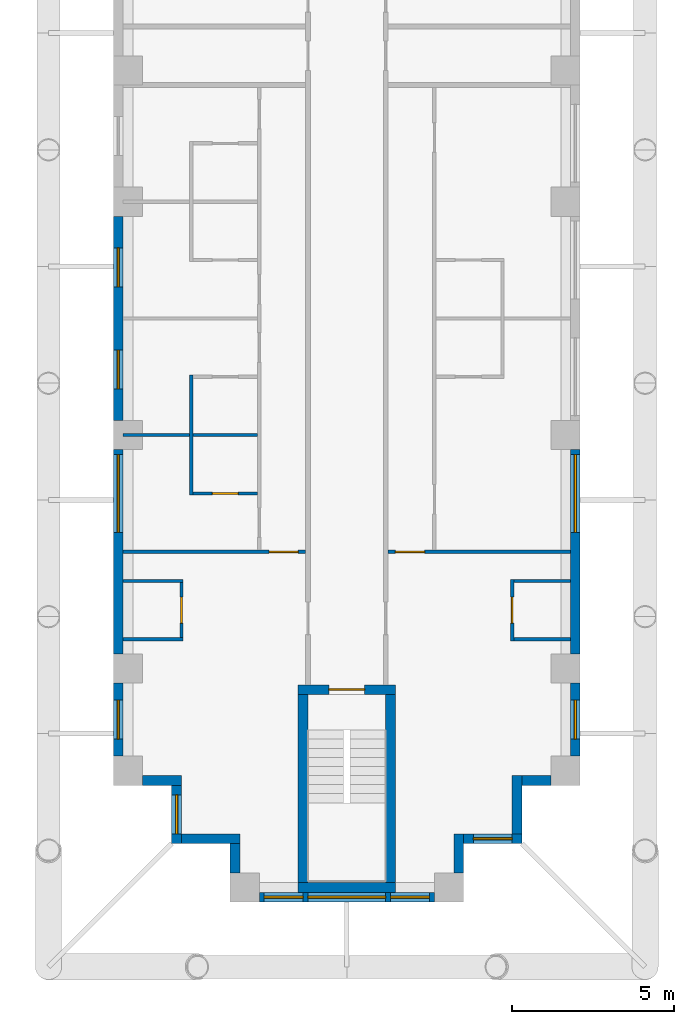
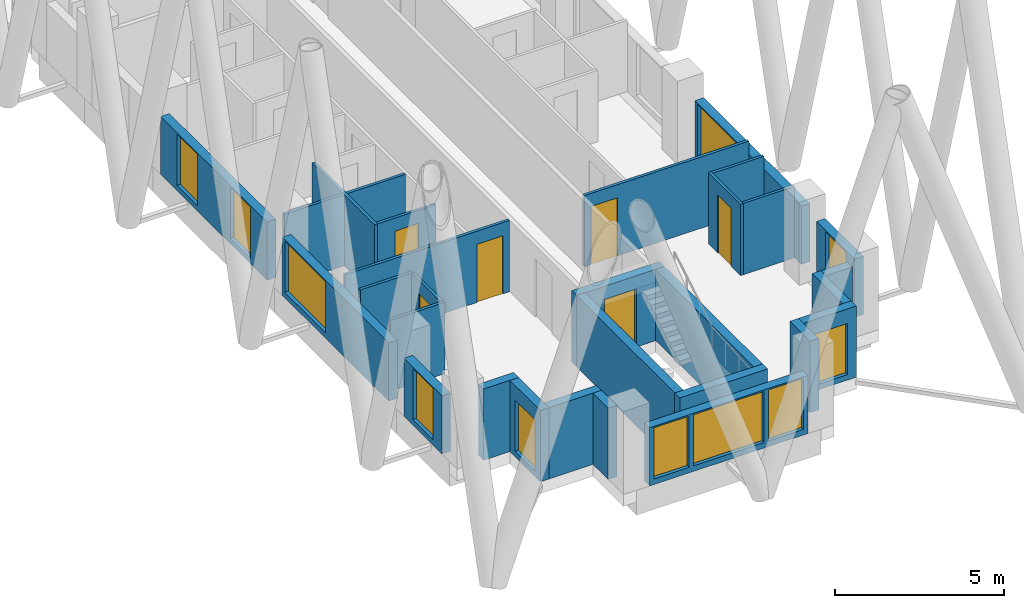
# One storey, part 3 of 14: 29 walls, 11 windows, 6 doors, 17 openings.
"""IFC4 building model written with IfcOpenShell, lengths in metres."""

from ifc_helpers import new_model, si_unit, direction, frame, frame_2d, origin, place, context, subcontext, project, spatial, rectangle, extrude, material, layer, layer_set, type_object, element, fill, save


model = new_model("IFC4")

# Units and contexts
model_context = context("Model", 3, precision=1e-05, world=origin(), true_north=direction((0.0, 1.0)))
body_context = subcontext(model_context, "Body", "Model", "MODEL_VIEW")
ifc_project = project(units=[si_unit("LENGTHUNIT", "METRE"), si_unit("AREAUNIT", "SQUARE_METRE"), si_unit("VOLUMEUNIT", "CUBIC_METRE"), si_unit("PLANEANGLEUNIT", "RADIAN"), si_unit("MASSUNIT", "GRAM", prefix="KILO")], contexts=[model_context])

# Site, building, storey
site_placement = place(None, origin())
site = spatial("IfcSite", under=ifc_project, at=site_placement, CompositionType="ELEMENT")
building_placement = place(site_placement, origin())
building = spatial("IfcBuilding", under=site, at=building_placement, Name="Fustian Cross Tower", CompositionType="ELEMENT")
storey_placement = place(building_placement, frame((0.0, 0.0, 102.89990234375)))
storey = spatial("IfcBuildingStorey", under=building, at=storey_placement, Name="L32", CompositionType="ELEMENT", Elevation=102.89990234375)

# Walls
ifc_material_1 = material(Name="Plasterboard on steel stud", Category="steel")
ifc_layer_1 = layer(ifc_material_1, 0.10009765625)
ifc_layer_set_1 = layer_set([ifc_layer_1], Name="Plasterboard on steel stud")
wall_type_1 = type_object("IfcWallType", Name="PARTITION 100 STUD", PredefinedType="PARTITIONING", material=ifc_layer_set_1)
for number, where, z_axis, x_axis, name in (
    (1, (-6.89990234375, -35.10009765625, 0.0), (0.0, 0.0, 1.0), (1.0, 0.0, 0.0), "Partition 15"),
    (2, (-6.89990234375, -33.300048828125, 0.0), (0.0, 0.0, 1.0), (1.0, 0.0, 0.0), "Partition 16"),
):
    element("IfcWall", number, at=place(storey_placement, frame(where, z_axis=z_axis, x_axis=x_axis)), inside=storey, type_object=wall_type_1, Name=name, PredefinedType="PARTITIONING", context=body_context, shape_type="SweptSolid", body=[
        extrude(rectangle(XDim=1.849853515625, YDim=0.10009765625, at=frame_2d((0.9248046875, 0.0))), origin(), (0.0, 0.0, 1.0), 2.5751953125),
    ])

# Wall, opening, door
wall_1_placement = place(storey_placement, frame((-6.89990234375, -32.39990234375, 0.0), z_axis=(0.0, 0.0, 1.0), x_axis=(1.0, 0.0, 0.0)))
wall_1 = element("IfcWall", 3, at=wall_1_placement, inside=storey, type_object=wall_type_1, Name="Partition 17", PredefinedType="PARTITIONING", context=body_context, shape_type="SweptSolid", body=[
    extrude(rectangle(XDim=5.625, YDim=0.10009765625, at=frame_2d((2.8125, 0.0))), origin(), (0.0, 0.0, 1.0), 2.5751953125),
])
opening_1_placement = place(wall_1_placement, frame((4.5, 0.0, 0.0)))
opening_1 = element("IfcOpeningElement", 4, at=opening_1_placement, cuts=wall_1, Name="Opening D15056", PredefinedType="OPENING", context=body_context, shape_type="SweptSolid", body=[
    extrude(rectangle(XDim=0.89990234375, YDim=2.10009765625, at=frame_2d((0.449951171875, 1.050048828125))), frame((0.0, 0.06005859375, 0.0), z_axis=(0.0, -1.0, 0.0), x_axis=(1.0, 0.0, 0.0)), (0.0, 0.0, 1.0), 0.1201171875),
])
ifc_material_2 = material(Name="Painted timber", Category="wood")
door_type_1 = type_object("IfcDoorType", Name="SWING DOOR 900", OperationType="SINGLE_SWING_LEFT", PredefinedType="DOOR", material=ifc_material_2)
door_1_placement = place(opening_1_placement, origin())
door_1 = element("IfcDoor", 5, at=door_1_placement, inside=storey, type_object=door_type_1, Name="Door D15056", OperationType="SINGLE_SWING_LEFT", OverallHeight=2.10009765625, OverallWidth=0.89990234375, PredefinedType="DOOR", context=body_context, shape_type="SweptSolid", body=[
    extrude(rectangle(XDim=0.89990234375, YDim=2.10009765625, at=frame_2d((0.449951171875, 1.050048828125))), frame((0.0, 0.02490234375, 0.0), z_axis=(0.0, -1.0, 0.0), x_axis=(1.0, 0.0, 0.0)), (0.0, 0.0, 1.0), 0.050048828125),
])
fill(opening_1, door_1)

# Wall
wall_2_placement = place(storey_placement, frame((-6.89990234375, -28.800048828125, 0.0), z_axis=(0.0, 0.0, 1.0), x_axis=(1.0, 0.0, 0.0)))
element("IfcWall", 6, at=wall_2_placement, inside=storey, type_object=wall_type_1, Name="Partition 18", PredefinedType="PARTITIONING", context=body_context, shape_type="SweptSolid", body=[
    extrude(rectangle(XDim=4.14990234375, YDim=0.10009765625, at=frame_2d((2.074951171875, 0.0))), origin(), (0.0, 0.0, 1.0), 2.5751953125),
])

# Wall, opening, door
wall_3_placement = place(storey_placement, frame((-5.10009765625, -35.050048828125, 0.0), z_axis=(0.0, 0.0, 1.0), x_axis=(0.0, 1.0, 0.0)))
wall_3 = element("IfcWall", 7, at=wall_3_placement, inside=storey, type_object=wall_type_1, Name="Partition 24", PredefinedType="PARTITIONING", context=body_context, shape_type="SweptSolid", body=[
    extrude(rectangle(XDim=1.699951171875, YDim=0.10009765625, at=frame_2d((0.85009765625, 0.0))), origin(), (0.0, 0.0, 1.0), 2.5751953125),
])
opening_2_placement = place(wall_3_placement, frame((0.449951171875, 0.0, 0.0)))
opening_2 = element("IfcOpeningElement", 8, at=opening_2_placement, cuts=wall_3, Name="Opening D15050", PredefinedType="OPENING", context=body_context, shape_type="SweptSolid", body=[
    extrude(rectangle(XDim=0.800048828125, YDim=2.10009765625, at=frame_2d((0.39990234375, 1.050048828125))), frame((0.0, 0.06005859375, 0.0), z_axis=(0.0, -1.0, 0.0), x_axis=(1.0, 0.0, 0.0)), (0.0, 0.0, 1.0), 0.1201171875),
])
ifc_material_3 = material(Name="Painted timber", Category="wood")
door_type_2 = type_object("IfcDoorType", Name="SWING DOOR 800", OperationType="SINGLE_SWING_LEFT", PredefinedType="DOOR", material=ifc_material_3)
door_2_placement = place(opening_2_placement, origin())
door_2 = element("IfcDoor", 9, at=door_2_placement, inside=storey, type_object=door_type_2, Name="Door D15050", OperationType="SINGLE_SWING_RIGHT", OverallHeight=2.10009765625, OverallWidth=0.800048828125, PredefinedType="DOOR", context=body_context, shape_type="SweptSolid", body=[
    extrude(rectangle(XDim=0.800048828125, YDim=2.10009765625, at=frame_2d((0.39990234375, 1.050048828125))), frame((0.0, 0.02490234375, 0.0), z_axis=(0.0, -1.0, 0.0), x_axis=(1.0, 0.0, 0.0)), (0.0, 0.0, 1.0), 0.050048828125),
])
fill(opening_2, door_2)

# Wall
wall_4_placement = place(storey_placement, frame((-4.800048828125, -30.64990234375, 0.0), z_axis=(0.0, 0.0, 1.0), x_axis=(0.0, 1.0, 0.0)))
element("IfcWall", 10, at=wall_4_placement, inside=storey, type_object=wall_type_1, Name="Partition 25", PredefinedType="PARTITIONING", context=body_context, shape_type="SweptSolid", body=[
    extrude(rectangle(XDim=3.699951171875, YDim=0.10009765625, at=frame_2d((1.85009765625, 0.0))), origin(), (0.0, 0.0, 1.0), 2.5751953125),
])

# Wall, opening, door
wall_5_placement = place(storey_placement, frame((-4.75, -30.60009765625, 0.0), z_axis=(0.0, 0.0, 1.0), x_axis=(1.0, 0.0, 0.0)))
wall_5 = element("IfcWall", 11, at=wall_5_placement, inside=storey, type_object=wall_type_1, Name="Partition 26", PredefinedType="PARTITIONING", context=body_context, shape_type="SweptSolid", body=[
    extrude(rectangle(XDim=2.0, YDim=0.10009765625, at=frame_2d((1.0, 0.0))), origin(), (0.0, 0.0, 1.0), 2.5751953125),
])
opening_3_placement = place(wall_5_placement, frame((0.60009765625, 0.0, 0.0)))
opening_3 = element("IfcOpeningElement", 12, at=opening_3_placement, cuts=wall_5, Name="Opening D15060", PredefinedType="OPENING", context=body_context, shape_type="SweptSolid", body=[
    extrude(rectangle(XDim=0.800048828125, YDim=2.10009765625, at=frame_2d((0.39990234375, 1.050048828125))), frame((0.0, 0.06005859375, 0.0), z_axis=(0.0, -1.0, 0.0), x_axis=(1.0, 0.0, 0.0)), (0.0, 0.0, 1.0), 0.1201171875),
])
door_3_placement = place(opening_3_placement, origin())
door_3 = element("IfcDoor", 13, at=door_3_placement, inside=storey, type_object=door_type_2, Name="Door D15060", OperationType="SINGLE_SWING_LEFT", OverallHeight=2.10009765625, OverallWidth=0.800048828125, PredefinedType="DOOR", context=body_context, shape_type="SweptSolid", body=[
    extrude(rectangle(XDim=0.800048828125, YDim=2.10009765625, at=frame_2d((0.39990234375, 1.050048828125))), frame((0.0, 0.02490234375, 0.0), z_axis=(0.0, -1.0, 0.0), x_axis=(1.0, 0.0, 0.0)), (0.0, 0.0, 1.0), 0.050048828125),
])
fill(opening_3, door_3)

wall_6_placement = place(storey_placement, frame((1.27490234375, -32.39990234375, 0.0), z_axis=(0.0, 0.0, 1.0), x_axis=(1.0, 0.0, 0.0)))
wall_6 = element("IfcWall", 14, at=wall_6_placement, inside=storey, type_object=wall_type_1, Name="Partition 44", PredefinedType="PARTITIONING", context=body_context, shape_type="SweptSolid", body=[
    extrude(rectangle(XDim=5.625, YDim=0.10009765625, at=frame_2d((2.8125, 0.0))), origin(), (0.0, 0.0, 1.0), 2.5751953125),
])
opening_4_placement = place(wall_6_placement, frame((0.22509765625, 0.0, 0.0)))
opening_4 = element("IfcOpeningElement", 15, at=opening_4_placement, cuts=wall_6, Name="Opening D15042", PredefinedType="OPENING", context=body_context, shape_type="SweptSolid", body=[
    extrude(rectangle(XDim=0.89990234375, YDim=2.10009765625, at=frame_2d((0.449951171875, 1.050048828125))), frame((0.0, 0.06005859375, 0.0), z_axis=(0.0, -1.0, 0.0), x_axis=(1.0, 0.0, 0.0)), (0.0, 0.0, 1.0), 0.1201171875),
])
door_4_placement = place(opening_4_placement, origin())
door_4 = element("IfcDoor", 16, at=door_4_placement, inside=storey, type_object=door_type_1, Name="Door D15042", OperationType="SINGLE_SWING_LEFT", OverallHeight=2.10009765625, OverallWidth=0.89990234375, PredefinedType="DOOR", context=body_context, shape_type="SweptSolid", body=[
    extrude(rectangle(XDim=0.89990234375, YDim=2.10009765625, at=frame_2d((0.449951171875, 1.050048828125))), frame((0.0, 0.02490234375, 0.0), z_axis=(0.0, -1.0, 0.0), x_axis=(1.0, 0.0, 0.0)), (0.0, 0.0, 1.0), 0.050048828125),
])
fill(opening_4, door_4)

wall_7_placement = place(storey_placement, frame((5.10009765625, -35.14990234375, 0.0), z_axis=(0.0, 0.0, 1.0), x_axis=(0.0, 1.0, 0.0)))
wall_7 = element("IfcWall", 17, at=wall_7_placement, inside=storey, type_object=wall_type_1, Name="Partition 66", PredefinedType="PARTITIONING", context=body_context, shape_type="SweptSolid", body=[
    extrude(rectangle(XDim=1.89990234375, YDim=0.10009765625, at=frame_2d((0.949951171875, 0.0))), origin(), (0.0, 0.0, 1.0), 2.5751953125),
])
opening_5_placement = place(wall_7_placement, frame((0.550048828125, 0.0, 0.0)))
opening_5 = element("IfcOpeningElement", 18, at=opening_5_placement, cuts=wall_7, Name="Opening D15040", PredefinedType="OPENING", context=body_context, shape_type="SweptSolid", body=[
    extrude(rectangle(XDim=0.800048828125, YDim=2.10009765625, at=frame_2d((0.39990234375, 1.050048828125))), frame((0.0, 0.06005859375, 0.0), z_axis=(0.0, -1.0, 0.0), x_axis=(1.0, 0.0, 0.0)), (0.0, 0.0, 1.0), 0.1201171875),
])
door_5_placement = place(opening_5_placement, frame((0.800048828125, 0.0, 0.0), z_axis=(0.0, 0.0, 1.0), x_axis=(-1.0, 0.0, 0.0)))
door_5 = element("IfcDoor", 19, at=door_5_placement, inside=storey, type_object=door_type_2, Name="Door D15040", OperationType="SINGLE_SWING_LEFT", OverallHeight=2.10009765625, OverallWidth=0.800048828125, PredefinedType="DOOR", context=body_context, shape_type="SweptSolid", body=[
    extrude(rectangle(XDim=0.800048828125, YDim=2.10009765625, at=frame_2d((0.39990234375, 1.050048828125))), frame((0.0, 0.02490234375, 0.0), z_axis=(0.0, -1.0, 0.0), x_axis=(1.0, 0.0, 0.0)), (0.0, 0.0, 1.0), 0.050048828125),
])
fill(opening_5, door_5)

# Walls
for number, where, z_axis, x_axis, name in (
    (20, (5.14990234375, -35.10009765625, 0.0), (0.0, 0.0, 1.0), (1.0, 0.0, 0.0), "Partition 67"),
    (21, (5.14990234375, -33.300048828125, 0.0), (0.0, 0.0, 1.0), (1.0, 0.0, 0.0), "Partition 68"),
):
    element("IfcWall", number, at=place(storey_placement, frame(where, z_axis=z_axis, x_axis=x_axis)), inside=storey, type_object=wall_type_1, Name=name, PredefinedType="PARTITIONING", context=body_context, shape_type="SweptSolid", body=[
        extrude(rectangle(XDim=1.75, YDim=0.10009765625, at=frame_2d((0.875, 0.0))), origin(), (0.0, 0.0, 1.0), 2.5751953125),
    ])

# Wall, opening, door
ifc_material_4 = material(Name="Concrete C50/60", Category="concrete")
ifc_layer_2 = layer(ifc_material_4, 0.300048828125)
ifc_layer_set_2 = layer_set([ifc_layer_2], Name="Concrete C50/60")
wall_type_2 = type_object("IfcWallType", Name="STAIR ENCLOSURE WALL 300 C50/60", PredefinedType="SHEAR", material=ifc_layer_set_2)
wall_8_placement = place(storey_placement, frame((-1.5, -36.64990234375, 0.0), z_axis=(0.0, 0.0, 1.0), x_axis=(1.0, 0.0, 0.0)))
wall_8 = element("IfcWall", 22, at=wall_8_placement, inside=storey, type_object=wall_type_2, Name="Stair enclosure wall", PredefinedType="SHEAR", context=body_context, shape_type="SweptSolid", body=[
    extrude(rectangle(XDim=3.0, YDim=0.300048828125, at=frame_2d((1.5, 0.0))), origin(), (0.0, 0.0, 1.0), 2.5751953125),
])
opening_6_placement = place(wall_8_placement, frame((0.949951171875, 0.0, 0.0)))
opening_6 = element("IfcOpeningElement", 23, at=opening_6_placement, cuts=wall_8, Name="Opening CD-10-31", PredefinedType="OPENING", context=body_context, shape_type="SweptSolid", body=[
    extrude(rectangle(XDim=1.10009765625, YDim=2.10009765625, at=frame_2d((0.550048828125, 1.050048828125))), frame((0.0, 0.159912109375, 0.0), z_axis=(0.0, -1.0, 0.0), x_axis=(1.0, 0.0, 0.0)), (0.0, 0.0, 1.0), 0.320068359375),
])
ifc_material_5 = material(Name="Steel", Category="steel")
door_type_3 = type_object("IfcDoorType", Name="FIRE DOOR FD60S 1100X2100", OperationType="SINGLE_SWING_LEFT", PredefinedType="DOOR", material=ifc_material_5)
door_6_placement = place(opening_6_placement, frame((1.10009765625, 0.0, 0.0), z_axis=(0.0, 0.0, 1.0), x_axis=(-1.0, 0.0, 0.0)))
door_6 = element("IfcDoor", 24, at=door_6_placement, inside=storey, type_object=door_type_3, Name="Core door CD-10-31", OperationType="SINGLE_SWING_RIGHT", OverallHeight=2.10009765625, OverallWidth=1.10009765625, PredefinedType="DOOR", context=body_context, shape_type="SweptSolid", body=[
    extrude(rectangle(XDim=1.10009765625, YDim=2.10009765625, at=frame_2d((0.550048828125, 1.050048828125))), frame((0.0, 0.02490234375, 0.0), z_axis=(0.0, -1.0, 0.0), x_axis=(1.0, 0.0, 0.0)), (0.0, 0.0, 1.0), 0.050048828125),
])
fill(opening_6, door_6)

# Walls
wall_9_placement = place(storey_placement, frame((-1.5, -42.75, 0.0), z_axis=(0.0, 0.0, 1.0), x_axis=(1.0, 0.0, 0.0)))
element("IfcWall", 25, at=wall_9_placement, inside=storey, type_object=wall_type_2, Name="Stair enclosure wall", PredefinedType="SHEAR", context=body_context, shape_type="SweptSolid", body=[
    extrude(rectangle(XDim=3.0, YDim=0.300048828125, at=frame_2d((1.5, 0.0))), origin(), (0.0, 0.0, 1.0), 2.5751953125),
])
for number, where, z_axis, x_axis, name in (
    (26, (-1.35009765625, -36.800048828125, 0.0), (0.0, 0.0, 1.0), (0.0, -1.0, 0.0), "Stair enclosure wall"),
    (27, (1.35009765625, -36.800048828125, 0.0), (0.0, 0.0, 1.0), (0.0, -1.0, 0.0), "Stair enclosure wall"),
):
    element("IfcWall", number, at=place(storey_placement, frame(where, z_axis=z_axis, x_axis=x_axis)), inside=storey, type_object=wall_type_2, Name=name, PredefinedType="SHEAR", context=body_context, shape_type="SweptSolid", body=[
        extrude(rectangle(XDim=5.800048828125, YDim=0.300048828125, at=frame_2d((2.89990234375, 0.0))), origin(), (0.0, 0.0, 1.0), 2.5751953125),
    ])

# Wall, openings, windows
ifc_material_6 = material(Name="Dark aluminium cladding on insulated backing wall", Category="aluminium")
ifc_layer_3 = layer(ifc_material_6, 0.300048828125)
ifc_layer_set_3 = layer_set([ifc_layer_3], Name="Dark aluminium cladding on insulated backing wall")
wall_type_3 = type_object("IfcWallType", Name="XW1 EXTERNAL WALL 300", PredefinedType="SOLIDWALL", material=ifc_layer_set_3)
wall_10_placement = place(storey_placement, frame((-7.050048828125, -22.050048828125, 0.0), z_axis=(0.0, 0.0, 1.0), x_axis=(0.0, -1.0, 0.0)))
wall_10 = element("IfcWall", 28, at=wall_10_placement, inside=storey, type_object=wall_type_3, Name="External wall", PredefinedType="SOLIDWALL", context=body_context, shape_type="SweptSolid", body=[
    extrude(rectangle(XDim=6.300048828125, YDim=0.300048828125, at=frame_2d((3.14990234375, 0.0))), origin(), (0.0, 0.0, 1.0), 2.10009765625),
])
opening_7_placement = place(wall_10_placement, frame((0.97509765625, 0.0, 0.199951171875)))
opening_7 = element("IfcOpeningElement", 29, at=opening_7_placement, cuts=wall_10, Name="Opening WN3", PredefinedType="OPENING", context=body_context, shape_type="SweptSolid", body=[
    extrude(rectangle(XDim=1.199951171875, YDim=1.85009765625, at=frame_2d((0.60009765625, 0.925048828125))), frame((0.0, 0.159912109375, 0.0), z_axis=(0.0, -1.0, 0.0), x_axis=(1.0, 0.0, 0.0)), (0.0, 0.0, 1.0), 0.320068359375),
])
opening_8_placement = place(wall_10_placement, frame((4.125, 0.0, 0.199951171875)))
opening_8 = element("IfcOpeningElement", 30, at=opening_8_placement, cuts=wall_10, Name="Opening WN3", PredefinedType="OPENING", context=body_context, shape_type="SweptSolid", body=[
    extrude(rectangle(XDim=1.199951171875, YDim=1.85009765625, at=frame_2d((0.60009765625, 0.925048828125))), frame((0.0, 0.159912109375, 0.0), z_axis=(0.0, -1.0, 0.0), x_axis=(1.0, 0.0, 0.0)), (0.0, 0.0, 1.0), 0.320068359375),
])
ifc_material_7 = material(Name="Dark anodised aluminium and double glazing", Category="aluminium")
window_type_1 = type_object("IfcWindowType", Name="WN3 WINDOW 1200X1850", PartitioningType="SINGLE_PANEL", PredefinedType="WINDOW", material=ifc_material_7)
window_1_placement = place(opening_7_placement, origin())
window_1 = element("IfcWindow", 31, at=window_1_placement, inside=storey, type_object=window_type_1, Name="Window", OverallHeight=1.85009765625, OverallWidth=1.199951171875, PartitioningType="SINGLE_PANEL", PredefinedType="WINDOW", context=body_context, shape_type="SweptSolid", body=[
    extrude(rectangle(XDim=1.199951171875, YDim=1.85009765625, at=frame_2d((0.60009765625, 0.925048828125))), frame((0.0, 0.030029296875, 0.0), z_axis=(0.0, -1.0, 0.0), x_axis=(1.0, 0.0, 0.0)), (0.0, 0.0, 1.0), 0.06005859375),
])
fill(opening_7, window_1)
window_2_placement = place(opening_8_placement, origin())
window_2 = element("IfcWindow", 32, at=window_2_placement, inside=storey, type_object=window_type_1, Name="Window", OverallHeight=1.85009765625, OverallWidth=1.199951171875, PartitioningType="SINGLE_PANEL", PredefinedType="WINDOW", context=body_context, shape_type="SweptSolid", body=[
    extrude(rectangle(XDim=1.199951171875, YDim=1.85009765625, at=frame_2d((0.60009765625, 0.925048828125))), frame((0.0, 0.030029296875, 0.0), z_axis=(0.0, -1.0, 0.0), x_axis=(1.0, 0.0, 0.0)), (0.0, 0.0, 1.0), 0.06005859375),
])
fill(opening_8, window_2)

# Wall, opening, window
wall_11_placement = place(storey_placement, frame((-7.050048828125, -29.25, 0.0), z_axis=(0.0, 0.0, 1.0), x_axis=(0.0, -1.0, 0.0)))
wall_11 = element("IfcWall", 33, at=wall_11_placement, inside=storey, type_object=wall_type_3, Name="External wall", PredefinedType="SOLIDWALL", context=body_context, shape_type="SweptSolid", body=[
    extrude(rectangle(XDim=6.300048828125, YDim=0.300048828125, at=frame_2d((3.14990234375, 0.0))), origin(), (0.0, 0.0, 1.0), 2.10009765625),
])
opening_9_placement = place(wall_11_placement, frame((0.14990234375, 0.0, 0.199951171875)))
opening_9 = element("IfcOpeningElement", 34, at=opening_9_placement, cuts=wall_11, Name="Opening WN1", PredefinedType="OPENING", context=body_context, shape_type="SweptSolid", body=[
    extrude(rectangle(XDim=2.39990234375, YDim=1.85009765625, at=frame_2d((1.199951171875, 0.925048828125))), frame((0.0, 0.159912109375, 0.0), z_axis=(0.0, -1.0, 0.0), x_axis=(1.0, 0.0, 0.0)), (0.0, 0.0, 1.0), 0.320068359375),
])
ifc_material_8 = material(Name="Dark anodised aluminium and double glazing", Category="aluminium")
window_type_2 = type_object("IfcWindowType", Name="WN1 WINDOW 2400X1850", PartitioningType="SINGLE_PANEL", PredefinedType="WINDOW", material=ifc_material_8)
window_3_placement = place(opening_9_placement, origin())
window_3 = element("IfcWindow", 35, at=window_3_placement, inside=storey, type_object=window_type_2, Name="Window", OverallHeight=1.85009765625, OverallWidth=2.39990234375, PartitioningType="SINGLE_PANEL", PredefinedType="WINDOW", context=body_context, shape_type="SweptSolid", body=[
    extrude(rectangle(XDim=2.39990234375, YDim=1.85009765625, at=frame_2d((1.199951171875, 0.925048828125))), frame((0.0, 0.030029296875, 0.0), z_axis=(0.0, -1.0, 0.0), x_axis=(1.0, 0.0, 0.0)), (0.0, 0.0, 1.0), 0.06005859375),
])
fill(opening_9, window_3)

wall_12_placement = place(storey_placement, frame((-7.050048828125, -36.449951171875, 0.0), z_axis=(0.0, 0.0, 1.0), x_axis=(0.0, -1.0, 0.0)))
wall_12 = element("IfcWall", 36, at=wall_12_placement, inside=storey, type_object=wall_type_3, Name="External wall", PredefinedType="SOLIDWALL", context=body_context, shape_type="SweptSolid", body=[
    extrude(rectangle(XDim=2.25, YDim=0.300048828125, at=frame_2d((1.125, 0.0))), origin(), (0.0, 0.0, 1.0), 2.10009765625),
])
opening_10_placement = place(wall_12_placement, frame((0.52490234375, 0.0, 0.199951171875)))
opening_10 = element("IfcOpeningElement", 37, at=opening_10_placement, cuts=wall_12, Name="Opening WN3", PredefinedType="OPENING", context=body_context, shape_type="SweptSolid", body=[
    extrude(rectangle(XDim=1.199951171875, YDim=1.85009765625, at=frame_2d((0.60009765625, 0.925048828125))), frame((0.0, 0.159912109375, 0.0), z_axis=(0.0, -1.0, 0.0), x_axis=(1.0, 0.0, 0.0)), (0.0, 0.0, 1.0), 0.320068359375),
])
window_4_placement = place(opening_10_placement, origin())
window_4 = element("IfcWindow", 38, at=window_4_placement, inside=storey, type_object=window_type_1, Name="Window", OverallHeight=1.85009765625, OverallWidth=1.199951171875, PartitioningType="SINGLE_PANEL", PredefinedType="WINDOW", context=body_context, shape_type="SweptSolid", body=[
    extrude(rectangle(XDim=1.199951171875, YDim=1.85009765625, at=frame_2d((0.60009765625, 0.925048828125))), frame((0.0, 0.030029296875, 0.0), z_axis=(0.0, -1.0, 0.0), x_axis=(1.0, 0.0, 0.0)), (0.0, 0.0, 1.0), 0.06005859375),
])
fill(opening_10, window_4)

# Wall
wall_13_placement = place(storey_placement, frame((-6.300048828125, -39.449951171875, 0.0), z_axis=(0.0, 0.0, 1.0), x_axis=(1.0, 0.0, 0.0)))
element("IfcWall", 39, at=wall_13_placement, inside=storey, type_object=wall_type_3, Name="External wall", PredefinedType="SOLIDWALL", context=body_context, shape_type="SweptSolid", body=[
    extrude(rectangle(XDim=1.199951171875, YDim=0.300048828125, at=frame_2d((0.60009765625, 0.0))), origin(), (0.0, 0.0, 1.0), 2.5751953125),
])

# Wall, opening, window
wall_14_placement = place(storey_placement, frame((-5.25, -39.60009765625, 0.0), z_axis=(0.0, 0.0, 1.0), x_axis=(0.0, -1.0, 0.0)))
wall_14 = element("IfcWall", 40, at=wall_14_placement, inside=storey, type_object=wall_type_3, Name="External wall", PredefinedType="SOLIDWALL", context=body_context, shape_type="SweptSolid", body=[
    extrude(rectangle(XDim=1.7998046875, YDim=0.300048828125, at=frame_2d((0.89990234375, 0.0))), origin(), (0.0, 0.0, 1.0), 2.5751953125),
])
opening_11_placement = place(wall_14_placement, frame((0.300048828125, 0.0, 0.199951171875)))
opening_11 = element("IfcOpeningElement", 41, at=opening_11_placement, cuts=wall_14, Name="Opening WN3", PredefinedType="OPENING", context=body_context, shape_type="SweptSolid", body=[
    extrude(rectangle(XDim=1.199951171875, YDim=1.85009765625, at=frame_2d((0.60009765625, 0.925048828125))), frame((0.0, 0.159912109375, 0.0), z_axis=(0.0, -1.0, 0.0), x_axis=(1.0, 0.0, 0.0)), (0.0, 0.0, 1.0), 0.320068359375),
])
window_5_placement = place(opening_11_placement, origin())
window_5 = element("IfcWindow", 42, at=window_5_placement, inside=storey, type_object=window_type_1, Name="Window", OverallHeight=1.85009765625, OverallWidth=1.199951171875, PartitioningType="SINGLE_PANEL", PredefinedType="WINDOW", context=body_context, shape_type="SweptSolid", body=[
    extrude(rectangle(XDim=1.199951171875, YDim=1.85009765625, at=frame_2d((0.60009765625, 0.925048828125))), frame((0.0, 0.030029296875, 0.0), z_axis=(0.0, -1.0, 0.0), x_axis=(1.0, 0.0, 0.0)), (0.0, 0.0, 1.0), 0.06005859375),
])
fill(opening_11, window_5)

# Walls
wall_15_placement = place(storey_placement, frame((-5.10009765625, -41.25, 0.0), z_axis=(0.0, 0.0, 1.0), x_axis=(1.0, 0.0, 0.0)))
element("IfcWall", 43, at=wall_15_placement, inside=storey, type_object=wall_type_3, Name="External wall", PredefinedType="SOLIDWALL", context=body_context, shape_type="SweptSolid", body=[
    extrude(rectangle(XDim=1.800048828125, YDim=0.300048828125, at=frame_2d((0.89990234375, 0.0))), origin(), (0.0, 0.0, 1.0), 2.5751953125),
])
wall_16_placement = place(storey_placement, frame((-3.449951171875, -41.39990234375, 0.0), z_axis=(0.0, 0.0, 1.0), x_axis=(0.0, -1.0, 0.0)))
element("IfcWall", 44, at=wall_16_placement, inside=storey, type_object=wall_type_3, Name="External wall", PredefinedType="SOLIDWALL", context=body_context, shape_type="SweptSolid", body=[
    extrude(rectangle(XDim=0.900146484375, YDim=0.300048828125, at=frame_2d((0.4501953125, 0.0))), origin(), (0.0, 0.0, 1.0), 2.5751953125),
])

# Wall, openings, windows
wall_17_placement = place(storey_placement, frame((-2.699951171875, -43.050048828125, 0.0), z_axis=(0.0, 0.0, 1.0), x_axis=(1.0, 0.0, 0.0)))
wall_17 = element("IfcWall", 45, at=wall_17_placement, inside=storey, type_object=wall_type_3, Name="External wall", PredefinedType="SOLIDWALL", context=body_context, shape_type="SweptSolid", body=[
    extrude(rectangle(XDim=5.39990234375, YDim=0.300048828125, at=frame_2d((2.699951171875, 0.0))), origin(), (0.0, 0.0, 1.0), 2.10009765625),
])
opening_12_placement = place(wall_17_placement, frame((1.5, 0.0, 0.199951171875)))
opening_12 = element("IfcOpeningElement", 46, at=opening_12_placement, cuts=wall_17, Name="Opening WN1", PredefinedType="OPENING", context=body_context, shape_type="SweptSolid", body=[
    extrude(rectangle(XDim=2.39990234375, YDim=1.85009765625, at=frame_2d((1.199951171875, 0.925048828125))), frame((0.0, 0.159912109375, 0.0), z_axis=(0.0, -1.0, 0.0), x_axis=(1.0, 0.0, 0.0)), (0.0, 0.0, 1.0), 0.320068359375),
])
opening_13_placement = place(wall_17_placement, frame((0.14990234375, 0.0, 0.199951171875)))
opening_13 = element("IfcOpeningElement", 47, at=opening_13_placement, cuts=wall_17, Name="Opening WN3", PredefinedType="OPENING", context=body_context, shape_type="SweptSolid", body=[
    extrude(rectangle(XDim=1.199951171875, YDim=1.85009765625, at=frame_2d((0.60009765625, 0.925048828125))), frame((0.0, 0.159912109375, 0.0), z_axis=(0.0, -1.0, 0.0), x_axis=(1.0, 0.0, 0.0)), (0.0, 0.0, 1.0), 0.320068359375),
])
opening_14_placement = place(wall_17_placement, frame((4.050048828125, 0.0, 0.199951171875)))
opening_14 = element("IfcOpeningElement", 48, at=opening_14_placement, cuts=wall_17, Name="Opening WN3", PredefinedType="OPENING", context=body_context, shape_type="SweptSolid", body=[
    extrude(rectangle(XDim=1.199951171875, YDim=1.85009765625, at=frame_2d((0.60009765625, 0.925048828125))), frame((0.0, 0.159912109375, 0.0), z_axis=(0.0, -1.0, 0.0), x_axis=(1.0, 0.0, 0.0)), (0.0, 0.0, 1.0), 0.320068359375),
])
window_6_placement = place(opening_12_placement, origin())
window_6 = element("IfcWindow", 49, at=window_6_placement, inside=storey, type_object=window_type_2, Name="Window", OverallHeight=1.85009765625, OverallWidth=2.39990234375, PartitioningType="SINGLE_PANEL", PredefinedType="WINDOW", context=body_context, shape_type="SweptSolid", body=[
    extrude(rectangle(XDim=2.39990234375, YDim=1.85009765625, at=frame_2d((1.199951171875, 0.925048828125))), frame((0.0, 0.030029296875, 0.0), z_axis=(0.0, -1.0, 0.0), x_axis=(1.0, 0.0, 0.0)), (0.0, 0.0, 1.0), 0.06005859375),
])
fill(opening_12, window_6)
window_7_placement = place(opening_13_placement, origin())
window_7 = element("IfcWindow", 50, at=window_7_placement, inside=storey, type_object=window_type_1, Name="Window", OverallHeight=1.85009765625, OverallWidth=1.199951171875, PartitioningType="SINGLE_PANEL", PredefinedType="WINDOW", context=body_context, shape_type="SweptSolid", body=[
    extrude(rectangle(XDim=1.199951171875, YDim=1.85009765625, at=frame_2d((0.60009765625, 0.925048828125))), frame((0.0, 0.030029296875, 0.0), z_axis=(0.0, -1.0, 0.0), x_axis=(1.0, 0.0, 0.0)), (0.0, 0.0, 1.0), 0.06005859375),
])
fill(opening_13, window_7)
window_8_placement = place(opening_14_placement, origin())
window_8 = element("IfcWindow", 51, at=window_8_placement, inside=storey, type_object=window_type_1, Name="Window", OverallHeight=1.85009765625, OverallWidth=1.199951171875, PartitioningType="SINGLE_PANEL", PredefinedType="WINDOW", context=body_context, shape_type="SweptSolid", body=[
    extrude(rectangle(XDim=1.199951171875, YDim=1.85009765625, at=frame_2d((0.60009765625, 0.925048828125))), frame((0.0, 0.030029296875, 0.0), z_axis=(0.0, -1.0, 0.0), x_axis=(1.0, 0.0, 0.0)), (0.0, 0.0, 1.0), 0.06005859375),
])
fill(opening_14, window_8)

# Wall
wall_18_placement = place(storey_placement, frame((3.449951171875, -42.300048828125, 0.0), z_axis=(0.0, 0.0, 1.0), x_axis=(0.0, 1.0, 0.0)))
element("IfcWall", 52, at=wall_18_placement, inside=storey, type_object=wall_type_3, Name="External wall", PredefinedType="SOLIDWALL", context=body_context, shape_type="SweptSolid", body=[
    extrude(rectangle(XDim=1.199951171875, YDim=0.300048828125, at=frame_2d((0.60009765625, 0.0))), origin(), (0.0, 0.0, 1.0), 2.5751953125),
])

# Wall, opening, window
wall_19_placement = place(storey_placement, frame((3.60009765625, -41.25, 0.0), z_axis=(0.0, 0.0, 1.0), x_axis=(1.0, 0.0, 0.0)))
wall_19 = element("IfcWall", 53, at=wall_19_placement, inside=storey, type_object=wall_type_3, Name="External wall", PredefinedType="SOLIDWALL", context=body_context, shape_type="SweptSolid", body=[
    extrude(rectangle(XDim=1.7998046875, YDim=0.300048828125, at=frame_2d((0.89990234375, 0.0))), origin(), (0.0, 0.0, 1.0), 2.5751953125),
])
opening_15_placement = place(wall_19_placement, frame((0.300048828125, 0.0, 0.199951171875)))
opening_15 = element("IfcOpeningElement", 54, at=opening_15_placement, cuts=wall_19, Name="Opening WN3", PredefinedType="OPENING", context=body_context, shape_type="SweptSolid", body=[
    extrude(rectangle(XDim=1.199951171875, YDim=1.85009765625, at=frame_2d((0.60009765625, 0.925048828125))), frame((0.0, 0.159912109375, 0.0), z_axis=(0.0, -1.0, 0.0), x_axis=(1.0, 0.0, 0.0)), (0.0, 0.0, 1.0), 0.320068359375),
])
window_9_placement = place(opening_15_placement, origin())
window_9 = element("IfcWindow", 55, at=window_9_placement, inside=storey, type_object=window_type_1, Name="Window", OverallHeight=1.85009765625, OverallWidth=1.199951171875, PartitioningType="SINGLE_PANEL", PredefinedType="WINDOW", context=body_context, shape_type="SweptSolid", body=[
    extrude(rectangle(XDim=1.199951171875, YDim=1.85009765625, at=frame_2d((0.60009765625, 0.925048828125))), frame((0.0, 0.030029296875, 0.0), z_axis=(0.0, -1.0, 0.0), x_axis=(1.0, 0.0, 0.0)), (0.0, 0.0, 1.0), 0.06005859375),
])
fill(opening_15, window_9)

# Walls
wall_20_placement = place(storey_placement, frame((5.25, -41.10009765625, 0.0), z_axis=(0.0, 0.0, 1.0), x_axis=(0.0, 1.0, 0.0)))
element("IfcWall", 56, at=wall_20_placement, inside=storey, type_object=wall_type_3, Name="External wall", PredefinedType="SOLIDWALL", context=body_context, shape_type="SweptSolid", body=[
    extrude(rectangle(XDim=1.800048828125, YDim=0.300048828125, at=frame_2d((0.89990234375, 0.0))), origin(), (0.0, 0.0, 1.0), 2.5751953125),
])
wall_21_placement = place(storey_placement, frame((5.39990234375, -39.449951171875, 0.0), z_axis=(0.0, 0.0, 1.0), x_axis=(1.0, 0.0, 0.0)))
element("IfcWall", 57, at=wall_21_placement, inside=storey, type_object=wall_type_3, Name="External wall", PredefinedType="SOLIDWALL", context=body_context, shape_type="SweptSolid", body=[
    extrude(rectangle(XDim=0.900146484375, YDim=0.300048828125, at=frame_2d((0.4501953125, 0.0))), origin(), (0.0, 0.0, 1.0), 2.5751953125),
])

# Wall, opening, window
wall_22_placement = place(storey_placement, frame((7.050048828125, -38.699951171875, 0.0), z_axis=(0.0, 0.0, 1.0), x_axis=(0.0, 1.0, 0.0)))
wall_22 = element("IfcWall", 58, at=wall_22_placement, inside=storey, type_object=wall_type_3, Name="External wall", PredefinedType="SOLIDWALL", context=body_context, shape_type="SweptSolid", body=[
    extrude(rectangle(XDim=2.25, YDim=0.300048828125, at=frame_2d((1.125, 0.0))), origin(), (0.0, 0.0, 1.0), 2.10009765625),
])
opening_16_placement = place(wall_22_placement, frame((0.52490234375, 0.0, 0.199951171875)))
opening_16 = element("IfcOpeningElement", 59, at=opening_16_placement, cuts=wall_22, Name="Opening WN3", PredefinedType="OPENING", context=body_context, shape_type="SweptSolid", body=[
    extrude(rectangle(XDim=1.199951171875, YDim=1.85009765625, at=frame_2d((0.60009765625, 0.925048828125))), frame((0.0, 0.159912109375, 0.0), z_axis=(0.0, -1.0, 0.0), x_axis=(1.0, 0.0, 0.0)), (0.0, 0.0, 1.0), 0.320068359375),
])
window_10_placement = place(opening_16_placement, origin())
window_10 = element("IfcWindow", 60, at=window_10_placement, inside=storey, type_object=window_type_1, Name="Window", OverallHeight=1.85009765625, OverallWidth=1.199951171875, PartitioningType="SINGLE_PANEL", PredefinedType="WINDOW", context=body_context, shape_type="SweptSolid", body=[
    extrude(rectangle(XDim=1.199951171875, YDim=1.85009765625, at=frame_2d((0.60009765625, 0.925048828125))), frame((0.0, 0.030029296875, 0.0), z_axis=(0.0, -1.0, 0.0), x_axis=(1.0, 0.0, 0.0)), (0.0, 0.0, 1.0), 0.06005859375),
])
fill(opening_16, window_10)

wall_23_placement = place(storey_placement, frame((7.050048828125, -35.550048828125, 0.0), z_axis=(0.0, 0.0, 1.0), x_axis=(0.0, 1.0, 0.0)))
wall_23 = element("IfcWall", 61, at=wall_23_placement, inside=storey, type_object=wall_type_3, Name="External wall", PredefinedType="SOLIDWALL", context=body_context, shape_type="SweptSolid", body=[
    extrude(rectangle(XDim=6.300048828125, YDim=0.300048828125, at=frame_2d((3.14990234375, 0.0))), origin(), (0.0, 0.0, 1.0), 2.10009765625),
])
opening_17_placement = place(wall_23_placement, frame((3.75, 0.0, 0.199951171875)))
opening_17 = element("IfcOpeningElement", 62, at=opening_17_placement, cuts=wall_23, Name="Opening WN1", PredefinedType="OPENING", context=body_context, shape_type="SweptSolid", body=[
    extrude(rectangle(XDim=2.39990234375, YDim=1.85009765625, at=frame_2d((1.199951171875, 0.925048828125))), frame((0.0, 0.159912109375, 0.0), z_axis=(0.0, -1.0, 0.0), x_axis=(1.0, 0.0, 0.0)), (0.0, 0.0, 1.0), 0.320068359375),
])
window_11_placement = place(opening_17_placement, origin())
window_11 = element("IfcWindow", 63, at=window_11_placement, inside=storey, type_object=window_type_2, Name="Window", OverallHeight=1.85009765625, OverallWidth=2.39990234375, PartitioningType="SINGLE_PANEL", PredefinedType="WINDOW", context=body_context, shape_type="SweptSolid", body=[
    extrude(rectangle(XDim=2.39990234375, YDim=1.85009765625, at=frame_2d((1.199951171875, 0.925048828125))), frame((0.0, 0.030029296875, 0.0), z_axis=(0.0, -1.0, 0.0), x_axis=(1.0, 0.0, 0.0)), (0.0, 0.0, 1.0), 0.06005859375),
])
fill(opening_17, window_11)

save(model, "model.ifc")
